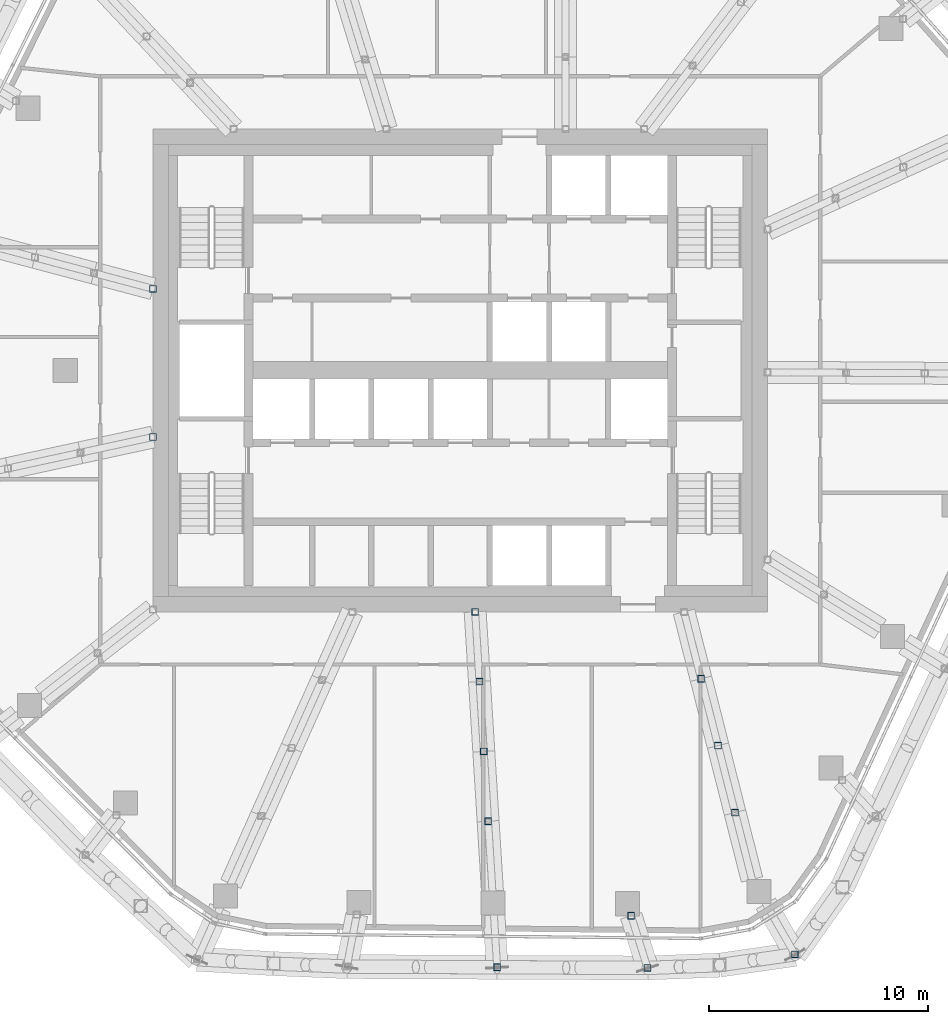
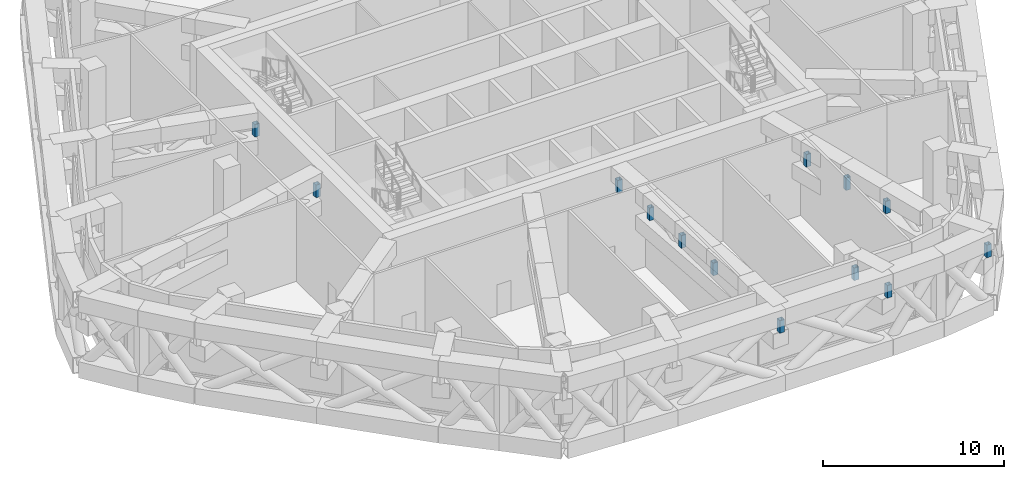
# One storey, part 11 of 31: 13 members.
"""IFC4 building model written with IfcOpenShell, lengths in metres."""

from ifc_helpers import new_model, si_unit, direction, frame, origin, origin_2d, place, context, subcontext, project, spatial, hollow_rectangle, extrude, material, material_profile, profile_set, type_object, element, save


model = new_model("IFC4")

# Units and contexts
model_context = context("Model", 3, precision=1e-05, world=origin(), true_north=direction((0.0, 1.0)))
body_context = subcontext(model_context, "Body", "Model", "MODEL_VIEW")
ifc_project = project(units=[si_unit("LENGTHUNIT", "METRE"), si_unit("AREAUNIT", "SQUARE_METRE"), si_unit("VOLUMEUNIT", "CUBIC_METRE"), si_unit("PLANEANGLEUNIT", "RADIAN"), si_unit("MASSUNIT", "GRAM", prefix="KILO")], contexts=[model_context])

# Site, building, storey
site_placement = place(None, origin())
site = spatial("IfcSite", under=ifc_project, at=site_placement, CompositionType="ELEMENT")
building_placement = place(site_placement, origin())
building = spatial("IfcBuilding", under=site, at=building_placement, Name="Dongbaek Canopy Tower", CompositionType="ELEMENT")
storey_placement = place(building_placement, frame((0.0, 0.0, 283.199951171875)))
storey = spatial("IfcBuildingStorey", under=building, at=storey_placement, Name="L60", CompositionType="ELEMENT", Elevation=283.199951171875)

# Members
ifc_material_1 = material(Name="Steel S355", Category="steel")
ifc_material_profile_1 = material_profile(ifc_material_1, hollow_rectangle(XDim=0.300048828125, YDim=0.300048828125, WallThickness=0.011962890625, at=origin_2d()), Name="OUTRIGGER POST SHS 300x300x12 Steel S355")
ifc_profile_set_1 = profile_set([ifc_material_profile_1], Name="Steel S355")
member_type_1 = type_object("IfcMemberType", Name="OUTRIGGER POST SHS 300x300x12 Steel S355", PredefinedType="POST", material=ifc_profile_set_1)
for number, where, z_axis, x_axis, name in (
    (1, (10.97412109375, -14.049072265625, 3.699951171875), (0.0, 0.0, 1.0), (1.0, 0.0, 0.0), "TRUSS:L60:0:P1"),
    (2, (11.748291015625, -17.097900390625, 3.699951171875), (0.0, 0.0, 1.0), (1.0, 0.0, 0.0), "TRUSS:L60:0:P2"),
    (3, (12.5224609375, -20.14697265625, 3.699951171875), (0.0, 0.0, 1.0), (1.0, 0.0, 0.0), "TRUSS:L60:0:P3"),
    (4, (15.251953125, -26.60693359375, 3.699951171875), (0.0, 0.0, 1.0), (1.0, 0.0, 0.0), "TRUSS:L60:0s:P1"),
    (5, (0.6806640625, -11.0, 3.699951171875), (0.0, 0.0, 1.0), (1.0, 0.0, 0.0), "TRUSS:L60:2:P0"),
    (6, (0.87744140625, -14.180419921875, 3.699951171875), (0.0, 0.0, 1.0), (1.0, 0.0, 0.0), "TRUSS:L60:2:P1"),
    (7, (1.07421875, -17.361083984375, 3.699951171875), (0.0, 0.0, 1.0), (1.0, 0.0, 0.0), "TRUSS:L60:2:P2"),
    (8, (1.27099609375, -20.54150390625, 3.699951171875), (0.0, 0.0, 1.0), (1.0, 0.0, 0.0), "TRUSS:L60:2:P3"),
    (9, (1.68310546875, -27.197021484375, 3.699951171875), (0.0, 0.0, 1.0), (1.0, 0.0, 0.0), "TRUSS:L60:2s:P1"),
    (10, (-14.0, -3.03369140625, 3.699951171875), (0.0, 0.0, 1.0), (1.0, 0.0, 0.0), "TRUSS:L60:8:P0"),
    (11, (-14.0, 3.72021484375, 3.699951171875), (0.0, 0.0, 1.0), (1.0, 0.0, 0.0), "TRUSS:L60:10:P0"),
):
    element("IfcMember", number, at=place(storey_placement, frame(where, z_axis=z_axis, x_axis=x_axis)), inside=storey, type_object=member_type_1, Name=name, PredefinedType="POST", context=body_context, shape_type="SweptSolid", body=[
        extrude(hollow_rectangle(XDim=0.300048828125, YDim=0.300048828125, WallThickness=0.011962890625, at=origin_2d()), origin(), (0.0, 0.0, 1.0), 0.85009765625),
    ])
ifc_material_2 = material(Name="Steel S355", Category="steel")
ifc_material_profile_2 = material_profile(ifc_material_2, hollow_rectangle(XDim=0.300048828125, YDim=0.300048828125, WallThickness=0.011962890625, at=origin_2d()), Name="POST SHS 300x300x12 Steel S355")
ifc_profile_set_2 = profile_set([ifc_material_profile_2], Name="Steel S355")
member_type_2 = type_object("IfcMemberType", Name="POST SHS 300x300x12 Steel S355", PredefinedType="POST", material=ifc_profile_set_2)
for number, where, z_axis, x_axis, name in (
    (12, (7.788330078125, -24.85009765625, 3.699951171875), (0.0, 0.0, 1.0), (1.0, 0.0, 0.0), "TRUSS:L60:1:P0"),
    (13, (8.533447265625, -27.227294921875, 3.699951171875), (0.0, 0.0, 1.0), (1.0, 0.0, 0.0), "TRUSS:L60:1:P1"),
):
    element("IfcMember", number, at=place(storey_placement, frame(where, z_axis=z_axis, x_axis=x_axis)), inside=storey, type_object=member_type_2, Name=name, PredefinedType="POST", context=body_context, shape_type="SweptSolid", body=[
        extrude(hollow_rectangle(XDim=0.300048828125, YDim=0.300048828125, WallThickness=0.011962890625, at=origin_2d()), origin(), (0.0, 0.0, 1.0), 0.85009765625),
    ])

save(model, "model.ifc")
